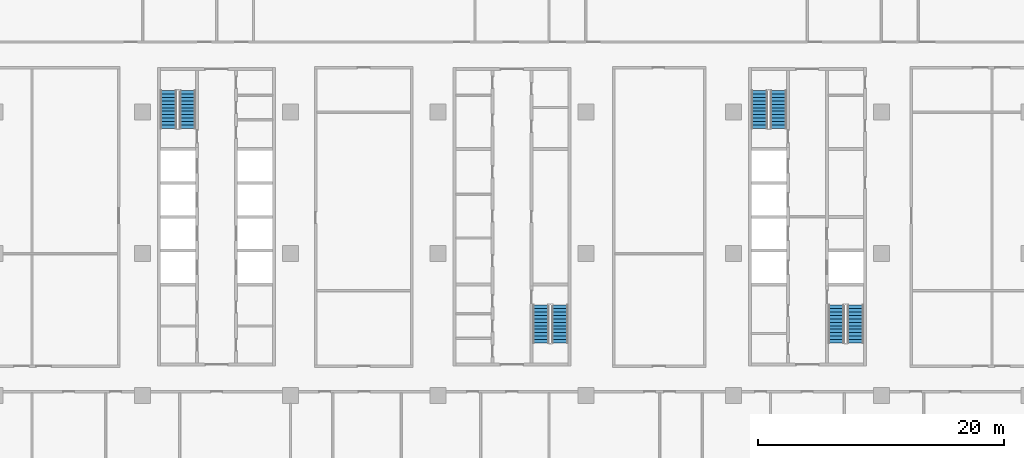
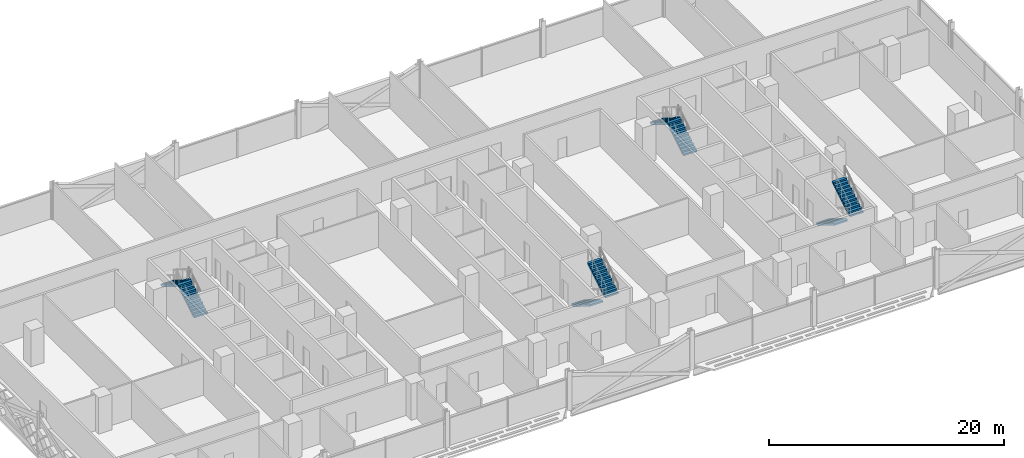
# One storey, part 19 of 29: 8 stair flights, 4 elements without a shape of their own.
"""IFC4 building model written with IfcOpenShell, lengths in metres."""

from ifc_helpers import new_model, si_unit, direction, frame, origin, place, context, subcontext, project, spatial, polyline, outline, extrude, material, type_object, element, aggregate, save


model = new_model("IFC4")

# Units and contexts
model_context = context("Model", 3, precision=1e-05, world=origin(), true_north=direction((0.0, 1.0)))
body_context = subcontext(model_context, "Body", "Model", "MODEL_VIEW")
ifc_project = project(units=[si_unit("LENGTHUNIT", "METRE"), si_unit("AREAUNIT", "SQUARE_METRE"), si_unit("VOLUMEUNIT", "CUBIC_METRE"), si_unit("PLANEANGLEUNIT", "RADIAN"), si_unit("MASSUNIT", "GRAM", prefix="KILO")], contexts=[model_context])

# Site, building, storey
site_placement = place(None, origin())
site = spatial("IfcSite", under=ifc_project, at=site_placement, CompositionType="ELEMENT")
building_placement = place(site_placement, origin())
building = spatial("IfcBuilding", under=site, at=building_placement, Name="Mahtab Terrace Research Tower", CompositionType="ELEMENT")
storey_placement = place(building_placement, frame((0.0, 0.0, 146.60009765625)))
storey = spatial("IfcBuildingStorey", under=building, at=storey_placement, Name="L34", CompositionType="ELEMENT", Elevation=146.60009765625)

# Stair, stair flights
ifc_material_1 = material(Name="Exit stair half-turn")
stair_type = type_object("IfcStairType", Name="Exit stair half-turn", PredefinedType="HALF_TURN_STAIR", material=ifc_material_1)
stair_1_placement = place(storey_placement, origin())
stair_1 = element("IfcStair", 1, at=stair_1_placement, inside=storey, type_object=stair_type, Name="L34 Protected exit stair ST1", PredefinedType="HALF_TURN_STAIR")
ifc_material_2 = material(Name="Concrete C40/50", Category="concrete")
stair_flight_type = type_object("IfcStairFlightType", Name="Exit stair flight 1300", PredefinedType="STRAIGHT", material=ifc_material_2)
stair_flight_1_placement = place(storey_placement, frame((-26.35009765625, 10.175048828125, 0.0), z_axis=(0.0, 0.0, 1.0), x_axis=(0.0, 1.0, 0.0)))
stair_flight_1 = element("IfcStairFlight", 2, at=stair_flight_1_placement, type_object=stair_flight_type, Name="ST1 flight 1", NumberOfRisers=12, NumberOfTreads=11, PredefinedType="STRAIGHT", RiserHeight=0.170833333, TreadLength=0.28, context=body_context, shape_type="SweptSolid", body=[
    extrude(outline(polyline([(0.0, 0.0), (0.0, 0.1708984375), (0.280029296875, 0.1708984375), (0.280029296875, 0.341552734375), (0.56005859375, 0.341552734375), (0.56005859375, 0.512451171875), (0.840087890625, 0.512451171875), (0.840087890625, 0.683349609375), (1.1201171875, 0.683349609375), (1.1201171875, 0.854248046875), (1.39990234375, 0.854248046875), (1.39990234375, 1.02490234375), (1.679931640625, 1.02490234375), (1.679931640625, 1.19580078125), (1.9599609375, 1.19580078125), (1.9599609375, 1.36669921875), (2.239990234375, 1.36669921875), (2.239990234375, 1.53759765625), (2.52001953125, 1.53759765625), (2.52001953125, 1.708251953125), (2.800048828125, 1.708251953125), (2.800048828125, 1.879150390625), (3.080078125, 1.879150390625), (3.080078125, 2.050048828125), (3.080078125, 1.70361328125), (0.287841796875, 0.0), (0.0, 0.0)])), frame((0.0, 0.64990234375, 0.0), z_axis=(0.0, -1.0, 0.0), x_axis=(1.0, 0.0, 0.0)), (0.0, 0.0, 1.0), 1.300048828125),
])
stair_flight_2_placement = place(storey_placement, frame((-27.89990234375, 13.2548828125, 2.0498046875), z_axis=(0.0, 0.0, 1.0), x_axis=(0.0, -1.0, 0.0)))
stair_flight_2 = element("IfcStairFlight", 3, at=stair_flight_2_placement, type_object=stair_flight_type, Name="ST1 flight 2", NumberOfRisers=12, NumberOfTreads=11, PredefinedType="STRAIGHT", RiserHeight=0.170833333, TreadLength=0.28, context=body_context, shape_type="SweptSolid", body=[
    extrude(outline(polyline([(0.0, 0.0), (0.0, 0.1708984375), (0.280029296875, 0.1708984375), (0.280029296875, 0.341552734375), (0.56005859375, 0.341552734375), (0.56005859375, 0.512451171875), (0.840087890625, 0.512451171875), (0.840087890625, 0.683349609375), (1.1201171875, 0.683349609375), (1.1201171875, 0.854248046875), (1.39990234375, 0.854248046875), (1.39990234375, 1.02490234375), (1.679931640625, 1.02490234375), (1.679931640625, 1.19580078125), (1.9599609375, 1.19580078125), (1.9599609375, 1.36669921875), (2.239990234375, 1.36669921875), (2.239990234375, 1.53759765625), (2.52001953125, 1.53759765625), (2.52001953125, 1.708251953125), (2.800048828125, 1.708251953125), (2.800048828125, 1.879150390625), (3.080078125, 1.879150390625), (3.080078125, 2.050048828125), (3.080078125, 1.70361328125), (0.287841796875, 0.0), (0.0, 0.0)])), frame((0.0, 0.64990234375, 0.0), z_axis=(0.0, -1.0, 0.0), x_axis=(1.0, 0.0, 0.0)), (0.0, 0.0, 1.0), 1.300048828125),
])
aggregate(stair_1, [stair_flight_1, stair_flight_2])

stair_2_placement = place(storey_placement, origin())
stair_2 = element("IfcStair", 4, at=stair_2_placement, inside=storey, type_object=stair_type, Name="L34 Protected exit stair ST2", PredefinedType="HALF_TURN_STAIR")
stair_flight_3_placement = place(storey_placement, frame((2.35009765625, -4.175048828125, 0.0), z_axis=(0.0, 0.0, 1.0), x_axis=(0.0, -1.0, 0.0)))
stair_flight_3 = element("IfcStairFlight", 5, at=stair_flight_3_placement, type_object=stair_flight_type, Name="ST2 flight 1", NumberOfRisers=12, NumberOfTreads=11, PredefinedType="STRAIGHT", RiserHeight=0.170833333, TreadLength=0.28, context=body_context, shape_type="SweptSolid", body=[
    extrude(outline(polyline([(0.0, 0.0), (0.0, 0.1708984375), (0.280029296875, 0.1708984375), (0.280029296875, 0.341552734375), (0.56005859375, 0.341552734375), (0.56005859375, 0.512451171875), (0.840087890625, 0.512451171875), (0.840087890625, 0.683349609375), (1.1201171875, 0.683349609375), (1.1201171875, 0.854248046875), (1.39990234375, 0.854248046875), (1.39990234375, 1.02490234375), (1.679931640625, 1.02490234375), (1.679931640625, 1.19580078125), (1.9599609375, 1.19580078125), (1.9599609375, 1.36669921875), (2.239990234375, 1.36669921875), (2.239990234375, 1.53759765625), (2.52001953125, 1.53759765625), (2.52001953125, 1.708251953125), (2.800048828125, 1.708251953125), (2.800048828125, 1.879150390625), (3.080078125, 1.879150390625), (3.080078125, 2.050048828125), (3.080078125, 1.70361328125), (0.287841796875, 0.0), (0.0, 0.0)])), frame((0.0, 0.64990234375, 0.0), z_axis=(0.0, -1.0, 0.0), x_axis=(1.0, 0.0, 0.0)), (0.0, 0.0, 1.0), 1.300048828125),
])
stair_flight_4_placement = place(storey_placement, frame((3.89990234375, -7.2548828125, 2.0498046875), z_axis=(0.0, 0.0, 1.0), x_axis=(0.0, 1.0, 0.0)))
stair_flight_4 = element("IfcStairFlight", 6, at=stair_flight_4_placement, type_object=stair_flight_type, Name="ST2 flight 2", NumberOfRisers=12, NumberOfTreads=11, PredefinedType="STRAIGHT", RiserHeight=0.170833333, TreadLength=0.28, context=body_context, shape_type="SweptSolid", body=[
    extrude(outline(polyline([(0.0, 0.0), (0.0, 0.1708984375), (0.280029296875, 0.1708984375), (0.280029296875, 0.341552734375), (0.56005859375, 0.341552734375), (0.56005859375, 0.512451171875), (0.840087890625, 0.512451171875), (0.840087890625, 0.683349609375), (1.1201171875, 0.683349609375), (1.1201171875, 0.854248046875), (1.39990234375, 0.854248046875), (1.39990234375, 1.02490234375), (1.679931640625, 1.02490234375), (1.679931640625, 1.19580078125), (1.9599609375, 1.19580078125), (1.9599609375, 1.36669921875), (2.239990234375, 1.36669921875), (2.239990234375, 1.53759765625), (2.52001953125, 1.53759765625), (2.52001953125, 1.708251953125), (2.800048828125, 1.708251953125), (2.800048828125, 1.879150390625), (3.080078125, 1.879150390625), (3.080078125, 2.050048828125), (3.080078125, 1.70361328125), (0.287841796875, 0.0), (0.0, 0.0)])), frame((0.0, 0.64990234375, 0.0), z_axis=(0.0, -1.0, 0.0), x_axis=(1.0, 0.0, 0.0)), (0.0, 0.0, 1.0), 1.300048828125),
])
aggregate(stair_2, [stair_flight_3, stair_flight_4])

stair_3_placement = place(storey_placement, origin())
stair_3 = element("IfcStair", 7, at=stair_3_placement, inside=storey, type_object=stair_type, Name="L34 Protected exit stair ST3", PredefinedType="HALF_TURN_STAIR")
stair_flight_5_placement = place(storey_placement, frame((21.64990234375, 10.175048828125, 0.0), z_axis=(0.0, 0.0, 1.0), x_axis=(0.0, 1.0, 0.0)))
stair_flight_5 = element("IfcStairFlight", 8, at=stair_flight_5_placement, type_object=stair_flight_type, Name="ST3 flight 1", NumberOfRisers=12, NumberOfTreads=11, PredefinedType="STRAIGHT", RiserHeight=0.170833333, TreadLength=0.28, context=body_context, shape_type="SweptSolid", body=[
    extrude(outline(polyline([(0.0, 0.0), (0.0, 0.1708984375), (0.280029296875, 0.1708984375), (0.280029296875, 0.341552734375), (0.56005859375, 0.341552734375), (0.56005859375, 0.512451171875), (0.840087890625, 0.512451171875), (0.840087890625, 0.683349609375), (1.1201171875, 0.683349609375), (1.1201171875, 0.854248046875), (1.39990234375, 0.854248046875), (1.39990234375, 1.02490234375), (1.679931640625, 1.02490234375), (1.679931640625, 1.19580078125), (1.9599609375, 1.19580078125), (1.9599609375, 1.36669921875), (2.239990234375, 1.36669921875), (2.239990234375, 1.53759765625), (2.52001953125, 1.53759765625), (2.52001953125, 1.708251953125), (2.800048828125, 1.708251953125), (2.800048828125, 1.879150390625), (3.080078125, 1.879150390625), (3.080078125, 2.050048828125), (3.080078125, 1.70361328125), (0.287841796875, 0.0), (0.0, 0.0)])), frame((0.0, 0.64990234375, 0.0), z_axis=(0.0, -1.0, 0.0), x_axis=(1.0, 0.0, 0.0)), (0.0, 0.0, 1.0), 1.300048828125),
])
stair_flight_6_placement = place(storey_placement, frame((20.10009765625, 13.2548828125, 2.0498046875), z_axis=(0.0, 0.0, 1.0), x_axis=(0.0, -1.0, 0.0)))
stair_flight_6 = element("IfcStairFlight", 9, at=stair_flight_6_placement, type_object=stair_flight_type, Name="ST3 flight 2", NumberOfRisers=12, NumberOfTreads=11, PredefinedType="STRAIGHT", RiserHeight=0.170833333, TreadLength=0.28, context=body_context, shape_type="SweptSolid", body=[
    extrude(outline(polyline([(0.0, 0.0), (0.0, 0.1708984375), (0.280029296875, 0.1708984375), (0.280029296875, 0.341552734375), (0.56005859375, 0.341552734375), (0.56005859375, 0.512451171875), (0.840087890625, 0.512451171875), (0.840087890625, 0.683349609375), (1.1201171875, 0.683349609375), (1.1201171875, 0.854248046875), (1.39990234375, 0.854248046875), (1.39990234375, 1.02490234375), (1.679931640625, 1.02490234375), (1.679931640625, 1.19580078125), (1.9599609375, 1.19580078125), (1.9599609375, 1.36669921875), (2.239990234375, 1.36669921875), (2.239990234375, 1.53759765625), (2.52001953125, 1.53759765625), (2.52001953125, 1.708251953125), (2.800048828125, 1.708251953125), (2.800048828125, 1.879150390625), (3.080078125, 1.879150390625), (3.080078125, 2.050048828125), (3.080078125, 1.70361328125), (0.287841796875, 0.0), (0.0, 0.0)])), frame((0.0, 0.64990234375, 0.0), z_axis=(0.0, -1.0, 0.0), x_axis=(1.0, 0.0, 0.0)), (0.0, 0.0, 1.0), 1.300048828125),
])
aggregate(stair_3, [stair_flight_5, stair_flight_6])

stair_4_placement = place(storey_placement, origin())
stair_4 = element("IfcStair", 10, at=stair_4_placement, inside=storey, type_object=stair_type, Name="L34 Protected exit stair ST4", PredefinedType="HALF_TURN_STAIR")
stair_flight_7_placement = place(storey_placement, frame((26.35009765625, -4.175048828125, 0.0), z_axis=(0.0, 0.0, 1.0), x_axis=(0.0, -1.0, 0.0)))
stair_flight_7 = element("IfcStairFlight", 11, at=stair_flight_7_placement, type_object=stair_flight_type, Name="ST4 flight 1", NumberOfRisers=12, NumberOfTreads=11, PredefinedType="STRAIGHT", RiserHeight=0.170833333, TreadLength=0.28, context=body_context, shape_type="SweptSolid", body=[
    extrude(outline(polyline([(0.0, 0.0), (0.0, 0.1708984375), (0.280029296875, 0.1708984375), (0.280029296875, 0.341552734375), (0.56005859375, 0.341552734375), (0.56005859375, 0.512451171875), (0.840087890625, 0.512451171875), (0.840087890625, 0.683349609375), (1.1201171875, 0.683349609375), (1.1201171875, 0.854248046875), (1.39990234375, 0.854248046875), (1.39990234375, 1.02490234375), (1.679931640625, 1.02490234375), (1.679931640625, 1.19580078125), (1.9599609375, 1.19580078125), (1.9599609375, 1.36669921875), (2.239990234375, 1.36669921875), (2.239990234375, 1.53759765625), (2.52001953125, 1.53759765625), (2.52001953125, 1.708251953125), (2.800048828125, 1.708251953125), (2.800048828125, 1.879150390625), (3.080078125, 1.879150390625), (3.080078125, 2.050048828125), (3.080078125, 1.70361328125), (0.287841796875, 0.0), (0.0, 0.0)])), frame((0.0, 0.64990234375, 0.0), z_axis=(0.0, -1.0, 0.0), x_axis=(1.0, 0.0, 0.0)), (0.0, 0.0, 1.0), 1.300048828125),
])
stair_flight_8_placement = place(storey_placement, frame((27.89990234375, -7.2548828125, 2.0498046875), z_axis=(0.0, 0.0, 1.0), x_axis=(0.0, 1.0, 0.0)))
stair_flight_8 = element("IfcStairFlight", 12, at=stair_flight_8_placement, type_object=stair_flight_type, Name="ST4 flight 2", NumberOfRisers=12, NumberOfTreads=11, PredefinedType="STRAIGHT", RiserHeight=0.170833333, TreadLength=0.28, context=body_context, shape_type="SweptSolid", body=[
    extrude(outline(polyline([(0.0, 0.0), (0.0, 0.1708984375), (0.280029296875, 0.1708984375), (0.280029296875, 0.341552734375), (0.56005859375, 0.341552734375), (0.56005859375, 0.512451171875), (0.840087890625, 0.512451171875), (0.840087890625, 0.683349609375), (1.1201171875, 0.683349609375), (1.1201171875, 0.854248046875), (1.39990234375, 0.854248046875), (1.39990234375, 1.02490234375), (1.679931640625, 1.02490234375), (1.679931640625, 1.19580078125), (1.9599609375, 1.19580078125), (1.9599609375, 1.36669921875), (2.239990234375, 1.36669921875), (2.239990234375, 1.53759765625), (2.52001953125, 1.53759765625), (2.52001953125, 1.708251953125), (2.800048828125, 1.708251953125), (2.800048828125, 1.879150390625), (3.080078125, 1.879150390625), (3.080078125, 2.050048828125), (3.080078125, 1.70361328125), (0.287841796875, 0.0), (0.0, 0.0)])), frame((0.0, 0.64990234375, 0.0), z_axis=(0.0, -1.0, 0.0), x_axis=(1.0, 0.0, 0.0)), (0.0, 0.0, 1.0), 1.300048828125),
])
aggregate(stair_4, [stair_flight_7, stair_flight_8])

save(model, "model.ifc")
